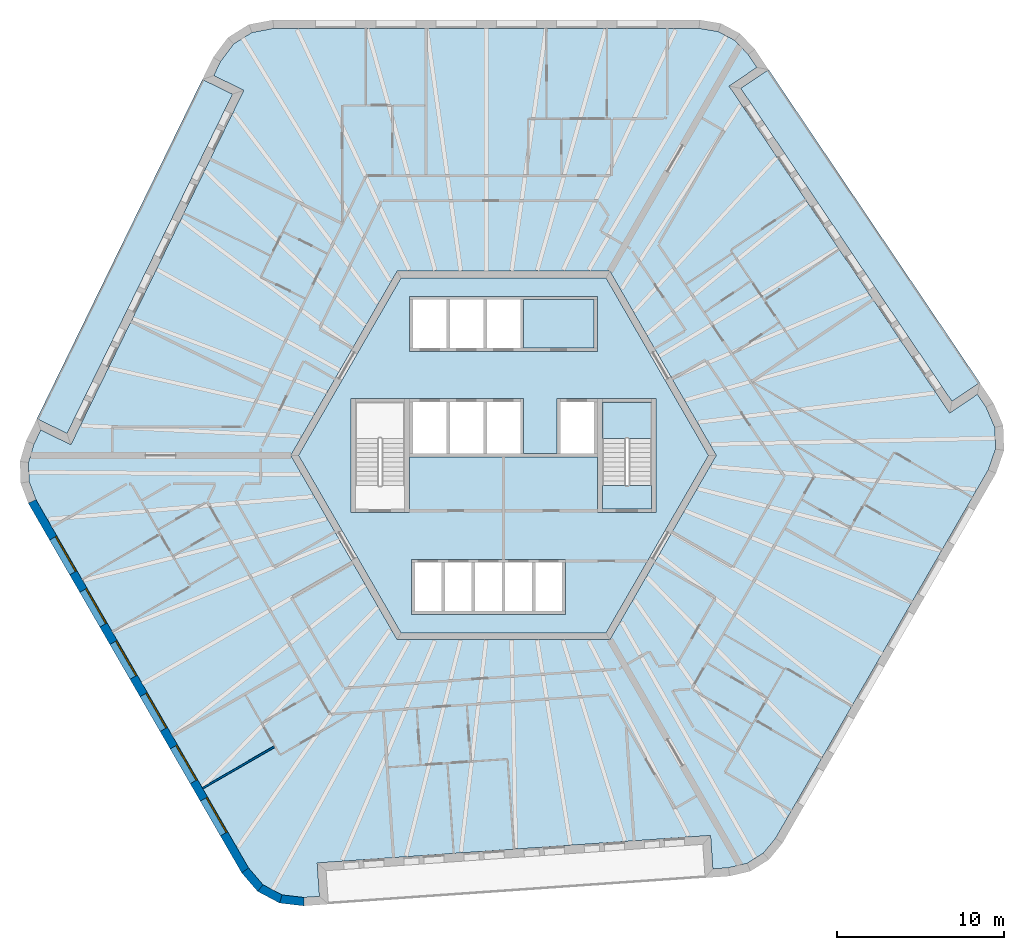
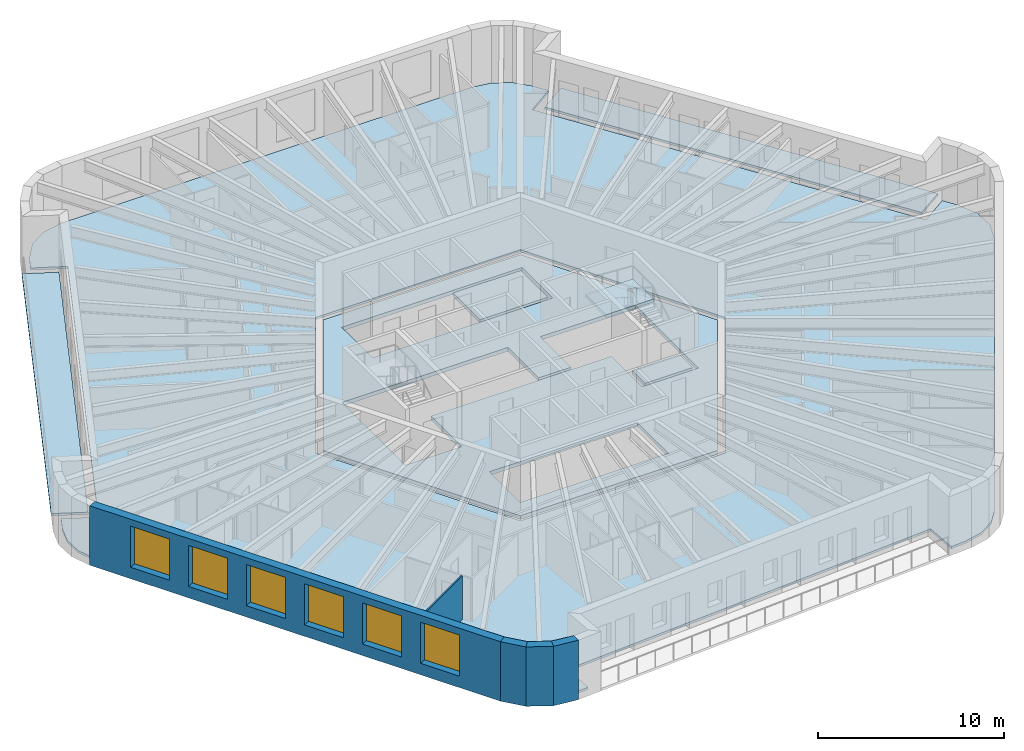
# One storey, part 2 of 12: 7 slabs, 6 windows, 5 walls, 6 openings, 1 element without a shape of its own.
"""IFC4 building model written with IfcOpenShell, lengths in metres."""

from ifc_helpers import new_model, si_unit, direction, frame, frame_2d, origin, place, context, subcontext, project, spatial, polyline, rectangle, outline, extrude, material, layer, layer_set, type_object, element, fill, aggregate, save


model = new_model("IFC4")

# Units and contexts
model_context = context("Model", 3, precision=1e-05, world=origin(), true_north=direction((0.0, 1.0)))
body_context = subcontext(model_context, "Body", "Model", "MODEL_VIEW")
ifc_project = project(units=[si_unit("LENGTHUNIT", "METRE"), si_unit("AREAUNIT", "SQUARE_METRE"), si_unit("VOLUMEUNIT", "CUBIC_METRE"), si_unit("PLANEANGLEUNIT", "RADIAN"), si_unit("MASSUNIT", "GRAM", prefix="KILO")], contexts=[model_context])

# Site, building, storey
site_placement = place(None, origin())
site = spatial("IfcSite", under=ifc_project, at=site_placement, CompositionType="ELEMENT")
building_placement = place(site_placement, origin())
building = spatial("IfcBuilding", under=site, at=building_placement, Name="Tarnside Tower", CompositionType="ELEMENT")
storey_placement = place(building_placement, frame((0.0, 0.0, 330.300048828125)))
storey = spatial("IfcBuildingStorey", under=building, at=storey_placement, Name="L80", CompositionType="ELEMENT", Elevation=330.300048828125)

# Slabs
ifc_material_1 = material(Name="Concrete C35/45", Category="concrete")
ifc_layer_1 = layer(ifc_material_1, 0.14990234375)
ifc_layer_set_1 = layer_set([ifc_layer_1], Name="Composite floor slab 150")
slab_type_1 = type_object("IfcSlabType", Name="Composite floor slab 150", PredefinedType="FLOOR", material=ifc_layer_set_1)
slab_1_placement = place(storey_placement, frame((0.0, 0.0, -0.150146484375)))
element("IfcSlab", 1, at=slab_1_placement, inside=storey, type_object=slab_type_1, Name="Floor slab L80", PredefinedType="FLOOR", context=body_context, shape_type="SweptSolid", body=[
    extrude(outline(polyline([(12.81689453125, 25.312744140625), (13.818115234375, 24.7802734375), (14.610595703125, 23.940185546875), (15.130615234375, 23.169677734375), (13.472412109375, 22.05126953125), (26.638427734375, 2.53173828125), (28.29638671875, 3.650146484375), (28.814697265625, 2.8818359375), (29.336669921875, 1.671875), (29.3818359375, 0.378662109375), (28.945556640625, -0.864990234375), (16.2451171875, -22.86279296875), (15.51318359375, -23.756103515625), (14.55126953125, -24.35693359375), (13.427490234375, -24.623291015625), (12.500244140625, -24.688232421875), (12.360595703125, -22.693115234375), (-11.126708984375, -24.33544921875), (-10.9873046875, -26.33056640625), (-11.91162109375, -26.395263671875), (-13.220458984375, -26.2421875), (-14.363037109375, -25.634765625), (-15.2216796875, -24.635009765625), (-27.922119140625, -2.63720703125), (-28.329833984375, -1.556640625), (-28.369384765625, -0.42333984375), (-28.0380859375, 0.68310546875), (-27.630615234375, 1.5185546875), (-25.8330078125, 0.641845703125), (-15.51171875, 21.8037109375), (-17.309326171875, 22.680419921875), (-16.903076171875, 23.51318359375), (-16.1162109375, 24.5703125), (-15.018798828125, 25.256103515625), (-13.723876953125, 25.5), (11.67724609375, 25.5), (12.81689453125, 25.312744140625)]), holes=[polyline([(-12.70166015625, 0.0), (-6.350830078125, -11.0), (6.350830078125, -11.0), (12.70166015625, 0.0), (6.350830078125, 11.0), (-6.350830078125, 11.0), (-12.70166015625, 0.0)])]), origin(), (0.0, 0.0, 1.0), 0.150146484375),
])
ifc_material_2 = material(Name="Concrete C40/50", Category="concrete")
ifc_layer_2 = layer(ifc_material_2, 0.25)
ifc_layer_set_2 = layer_set([ifc_layer_2], Name="Core slab C40/50")
slab_type_2 = type_object("IfcSlabType", Name="Core slab C40/50", PredefinedType="FLOOR", material=ifc_layer_set_2)
slab_2_placement = place(storey_placement, frame((0.0, 0.0, -0.25)))
element("IfcSlab", 2, at=slab_2_placement, inside=storey, type_object=slab_type_2, Name="L80 core floor slab 1", PredefinedType="FLOOR", context=body_context, shape_type="SweptSolid", body=[
    extrude(outline(polyline([(6.119873046875, 10.60009765625), (12.23974609375, 0.0), (6.119873046875, -10.60009765625), (-6.119873046875, -10.60009765625), (-12.23974609375, 0.0), (-6.119873046875, 10.60009765625), (6.119873046875, 10.60009765625)]), holes=[polyline([(-5.5, -9.5), (3.699951171875, -9.5), (3.699951171875, -9.300048828125), (3.699951171875, -6.39990234375), (3.699951171875, -6.199951171875), (-5.5, -6.199951171875), (-5.5, -6.39990234375), (-5.5, -9.300048828125), (-5.5, -9.5)]), polyline([(-5.60009765625, -3.39990234375), (-5.60009765625, -0.10009765625), (5.60009765625, -0.10009765625), (5.60009765625, -3.39990234375), (5.89990234375, -3.39990234375), (8.85009765625, -3.39990234375), (9.10009765625, -3.39990234375), (9.10009765625, 3.39990234375), (8.85009765625, 3.39990234375), (5.89990234375, 3.39990234375), (5.60009765625, 3.39990234375), (3.39990234375, 3.39990234375), (3.199951171875, 3.39990234375), (3.199951171875, 0.10009765625), (1.199951171875, 0.10009765625), (1.199951171875, 3.39990234375), (1.0, 3.39990234375), (-5.60009765625, 3.39990234375), (-5.89990234375, 3.39990234375), (-8.85009765625, 3.39990234375), (-9.10009765625, 3.39990234375), (-9.10009765625, -3.39990234375), (-8.85009765625, -3.39990234375), (-5.89990234375, -3.39990234375), (-5.60009765625, -3.39990234375)]), polyline([(-5.60009765625, 6.199951171875), (5.60009765625, 6.199951171875), (5.60009765625, 6.39990234375), (5.60009765625, 9.300048828125), (5.60009765625, 9.5), (-5.60009765625, 9.5), (-5.60009765625, 9.300048828125), (-5.60009765625, 6.39990234375), (-5.60009765625, 6.199951171875)])]), origin(), (0.0, 0.0, 1.0), 0.25),
])
slab_3_placement = place(storey_placement, frame((0.0, 0.0, -0.25)))
element("IfcSlab", 3, at=slab_3_placement, inside=storey, type_object=slab_type_2, Name="L80 core floor slab 3", PredefinedType="FLOOR", context=body_context, shape_type="SweptSolid", body=[
    extrude(outline(polyline([(5.89990234375, -1.800048828125), (8.85009765625, -1.800048828125), (8.85009765625, -3.199951171875), (5.89990234375, -3.199951171875), (5.89990234375, -1.800048828125)])), origin(), (0.0, 0.0, 1.0), 0.25),
])
slab_4_placement = place(storey_placement, frame((0.0, 0.0, -0.25)))
element("IfcSlab", 4, at=slab_4_placement, inside=storey, type_object=slab_type_2, Name="L80 core floor slab 4", PredefinedType="FLOOR", context=body_context, shape_type="SweptSolid", body=[
    extrude(outline(polyline([(5.39990234375, 6.39990234375), (1.199951171875, 6.39990234375), (1.199951171875, 9.300048828125), (5.39990234375, 9.300048828125), (5.39990234375, 6.39990234375)])), origin(), (0.0, 0.0, 1.0), 0.25),
])
ifc_material_3 = material(Name="Timber decking", Category="wood")
ifc_layer_3 = layer(ifc_material_3, 0.0400390625)
ifc_material_4 = material(Name="Concrete C60/75 precast", Category="concrete")
ifc_layer_4 = layer(ifc_material_4, 0.110107421875)
ifc_layer_set_3 = layer_set([ifc_layer_3, ifc_layer_4], Name="Loggia deck 150")
slab_type_3 = type_object("IfcSlabType", Name="Loggia deck 150", PredefinedType="FLOOR", material=ifc_layer_set_3)
slab_5_placement = place(storey_placement, frame((0.0, 0.0, -0.150146484375)))
element("IfcSlab", 5, at=slab_5_placement, inside=storey, type_object=slab_type_3, Name="Loggia deck L80 F2", PredefinedType="FLOOR", context=body_context, shape_type="SweptSolid", body=[
    extrude(outline(polyline([(-16.180419921875, 21.573486328125), (-26.063232421875, 1.310302734375), (-27.86083984375, 2.187255859375), (-17.97802734375, 22.4501953125), (-16.180419921875, 21.573486328125)])), origin(), (0.0, 0.0, 1.0), 0.150146484375),
])
slab_6_placement = place(storey_placement, frame((0.0, 0.0, -0.150146484375)))
element("IfcSlab", 6, at=slab_6_placement, inside=storey, type_object=slab_type_3, Name="Loggia deck L80 F6", PredefinedType="FLOOR", context=body_context, shape_type="SweptSolid", body=[
    extrude(outline(polyline([(26.7734375, 3.225830078125), (14.16650390625, 21.916259765625), (15.82470703125, 23.03466796875), (28.431396484375, 4.34423828125), (26.7734375, 3.225830078125)])), origin(), (0.0, 0.0, 1.0), 0.150146484375),
])

# Stair, slab
stair_type = type_object("IfcStairType", Name="Exit stair 1400 clear", PredefinedType="HALF_TURN_STAIR", material=ifc_material_2)
stair_placement = place(storey_placement, origin())
stair = element("IfcStair", 7, at=stair_placement, inside=storey, type_object=stair_type, Name="L80 Exit stair 1", PredefinedType="HALF_TURN_STAIR")
ifc_layer_5 = layer(ifc_material_2, 0.199951171875)
ifc_layer_set_4 = layer_set([ifc_layer_5], Name="Stair landing 200 C40/50")
slab_type_4 = type_object("IfcSlabType", Name="Stair landing 200 C40/50", PredefinedType="LANDING", material=ifc_layer_set_4)
slab_7_placement = place(storey_placement, frame((0.0, 0.0, 1.75)))
slab_7 = element("IfcSlab", 8, at=slab_7_placement, type_object=slab_type_4, Name="ST1 landing 1", PredefinedType="LANDING", context=body_context, shape_type="SweptSolid", body=[
    extrude(outline(polyline([(8.85009765625, 1.0), (8.85009765625, 3.199951171875), (5.89990234375, 3.199951171875), (5.89990234375, 1.0), (8.85009765625, 1.0)])), origin(), (0.0, 0.0, 1.0), 0.199951171875),
])
aggregate(stair, [slab_7])

# Wall
ifc_material_5 = material(Name="Gypsum board partition on steel studs", Category="steel")
ifc_layer_6 = layer(ifc_material_5, 0.10009765625)
ifc_layer_set_5 = layer_set([ifc_layer_6], Name="Partition 100")
wall_type_1 = type_object("IfcWallType", Name="Partition 100", PredefinedType="PARTITIONING", material=ifc_layer_set_5)
wall_1_placement = place(storey_placement, frame((-13.684326171875, -17.39794921875, 0.0), z_axis=(0.0, 0.0, 1.0), x_axis=(-0.866040211805, -0.499974350878, 0.0)))
element("IfcWall", 9, at=wall_1_placement, inside=storey, type_object=wall_type_1, Name="Partition wall 26122", PredefinedType="PARTITIONING", context=body_context, shape_type="SweptSolid", body=[
    extrude(rectangle(XDim=4.949951171875, YDim=0.10009765625, at=frame_2d((2.47509765625, 0.0))), origin(), (0.0, 0.0, 1.0), 2.837646484375),
])

# Wall, openings, windows
ifc_material_6 = material(Name="Facing brick", Category="masonry")
ifc_layer_7 = layer(ifc_material_6, 0.10205078125)
ifc_layer_8 = layer(ifc_material_4, 0.298095703125)
ifc_material_7 = material(Name="Mineral wool insulation")
ifc_layer_9 = layer(ifc_material_7, 0.10009765625)
ifc_layer_set_6 = layer_set([ifc_layer_7, ifc_layer_8, ifc_layer_9], Name="Tube wall 500 brick faced")
wall_type_2 = type_object("IfcWallType", Name="Tube wall 500 brick faced", PredefinedType="SOLIDWALL", material=ifc_layer_set_6)
wall_2_placement = place(storey_placement, frame((-28.14892578125, -2.74462890625, -0.150146484375), z_axis=(0.0, 0.0, 1.0), x_axis=(0.500003737743, -0.866023245787, 0.0)))
wall_2 = element("IfcWall", 10, at=wall_2_placement, inside=storey, type_object=wall_type_2, Name="Tube wall L80 F3 flush 12", PredefinedType="SOLIDWALL", context=body_context, shape_type="SweptSolid", body=[
    extrude(outline(polyline([(-0.0205078125, -0.25), (25.468017578125, -0.25), (25.421142578125, 0.25), (0.0205078125, 0.25), (-0.0205078125, -0.25)])), origin(), (0.0, 0.0, 1.0), 3.900146484375),
])
opening_1_placement = place(wall_2_placement, frame((2.5224609375, 0.0, 0.75)))
opening_1 = element("IfcOpeningElement", 11, at=opening_1_placement, cuts=wall_2, Name="Opening WR", PredefinedType="OPENING", context=body_context, shape_type="SweptSolid", body=[
    extrude(rectangle(XDim=2.39990234375, YDim=2.699951171875, at=frame_2d((1.199951171875, 1.35009765625))), frame((0.0, 0.260009765625, 0.0), z_axis=(0.0, -1.0, 0.0), x_axis=(1.0, 0.0, 0.0)), (0.0, 0.0, 1.0), 0.52001953125),
])
opening_2_placement = place(wall_2_placement, frame((6.122314453125, 0.0, 0.75)))
opening_2 = element("IfcOpeningElement", 12, at=opening_2_placement, cuts=wall_2, Name="Opening WR", PredefinedType="OPENING", context=body_context, shape_type="SweptSolid", body=[
    extrude(rectangle(XDim=2.39990234375, YDim=2.699951171875, at=frame_2d((1.199951171875, 1.35009765625))), frame((0.0, 0.260009765625, 0.0), z_axis=(0.0, -1.0, 0.0), x_axis=(1.0, 0.0, 0.0)), (0.0, 0.0, 1.0), 0.52001953125),
])
opening_3_placement = place(wall_2_placement, frame((9.722412109375, 0.0, 0.75)))
opening_3 = element("IfcOpeningElement", 13, at=opening_3_placement, cuts=wall_2, Name="Opening WR", PredefinedType="OPENING", context=body_context, shape_type="SweptSolid", body=[
    extrude(rectangle(XDim=2.39990234375, YDim=2.699951171875, at=frame_2d((1.199951171875, 1.35009765625))), frame((0.0, 0.260009765625, 0.0), z_axis=(0.0, -1.0, 0.0), x_axis=(1.0, 0.0, 0.0)), (0.0, 0.0, 1.0), 0.52001953125),
])
opening_4_placement = place(wall_2_placement, frame((13.322509765625, 0.0, 0.75)))
opening_4 = element("IfcOpeningElement", 14, at=opening_4_placement, cuts=wall_2, Name="Opening WR", PredefinedType="OPENING", context=body_context, shape_type="SweptSolid", body=[
    extrude(rectangle(XDim=2.39990234375, YDim=2.699951171875, at=frame_2d((1.199951171875, 1.35009765625))), frame((0.0, 0.260009765625, 0.0), z_axis=(0.0, -1.0, 0.0), x_axis=(1.0, 0.0, 0.0)), (0.0, 0.0, 1.0), 0.52001953125),
])
opening_5_placement = place(wall_2_placement, frame((16.92236328125, 0.0, 0.75)))
opening_5 = element("IfcOpeningElement", 15, at=opening_5_placement, cuts=wall_2, Name="Opening WR", PredefinedType="OPENING", context=body_context, shape_type="SweptSolid", body=[
    extrude(rectangle(XDim=2.39990234375, YDim=2.699951171875, at=frame_2d((1.199951171875, 1.35009765625))), frame((0.0, 0.260009765625, 0.0), z_axis=(0.0, -1.0, 0.0), x_axis=(1.0, 0.0, 0.0)), (0.0, 0.0, 1.0), 0.52001953125),
])
opening_6_placement = place(wall_2_placement, frame((20.5224609375, 0.0, 0.75)))
opening_6 = element("IfcOpeningElement", 16, at=opening_6_placement, cuts=wall_2, Name="Opening WR", PredefinedType="OPENING", context=body_context, shape_type="SweptSolid", body=[
    extrude(rectangle(XDim=2.39990234375, YDim=2.699951171875, at=frame_2d((1.199951171875, 1.35009765625))), frame((0.0, 0.260009765625, 0.0), z_axis=(0.0, -1.0, 0.0), x_axis=(1.0, 0.0, 0.0)), (0.0, 0.0, 1.0), 0.52001953125),
])
ifc_material_8 = material(Name="Aluminium-framed double glazing", Category="aluminium")
window_type = type_object("IfcWindowType", Name="Residence window 2400 x 2700", PartitioningType="DOUBLE_PANEL_VERTICAL", PredefinedType="WINDOW", material=ifc_material_8)
window_1_placement = place(opening_1_placement, frame((0.0, 0.179931640625, 0.0)))
window_1 = element("IfcWindow", 17, at=window_1_placement, inside=storey, type_object=window_type, Name="E.WN.L80.F3.00", OverallHeight=2.699951171875, OverallWidth=2.39990234375, PartitioningType="DOUBLE_PANEL_VERTICAL", PredefinedType="WINDOW", context=body_context, shape_type="SweptSolid", body=[
    extrude(rectangle(XDim=2.39990234375, YDim=2.699951171875, at=frame_2d((1.199951171875, 1.35009765625))), frame((0.0, 0.030029296875, 0.0), z_axis=(0.0, -1.0, 0.0), x_axis=(1.0, 0.0, 0.0)), (0.0, 0.0, 1.0), 0.06005859375),
])
fill(opening_1, window_1)
window_2_placement = place(opening_2_placement, frame((0.0, 0.179931640625, 0.0)))
window_2 = element("IfcWindow", 18, at=window_2_placement, inside=storey, type_object=window_type, Name="E.WN.L80.F3.01", OverallHeight=2.699951171875, OverallWidth=2.39990234375, PartitioningType="DOUBLE_PANEL_VERTICAL", PredefinedType="WINDOW", context=body_context, shape_type="SweptSolid", body=[
    extrude(rectangle(XDim=2.39990234375, YDim=2.699951171875, at=frame_2d((1.199951171875, 1.35009765625))), frame((0.0, 0.030029296875, 0.0), z_axis=(0.0, -1.0, 0.0), x_axis=(1.0, 0.0, 0.0)), (0.0, 0.0, 1.0), 0.06005859375),
])
fill(opening_2, window_2)
window_3_placement = place(opening_3_placement, frame((0.0, 0.179931640625, 0.0)))
window_3 = element("IfcWindow", 19, at=window_3_placement, inside=storey, type_object=window_type, Name="E.WN.L80.F3.02", OverallHeight=2.699951171875, OverallWidth=2.39990234375, PartitioningType="DOUBLE_PANEL_VERTICAL", PredefinedType="WINDOW", context=body_context, shape_type="SweptSolid", body=[
    extrude(rectangle(XDim=2.39990234375, YDim=2.699951171875, at=frame_2d((1.199951171875, 1.35009765625))), frame((0.0, 0.030029296875, 0.0), z_axis=(0.0, -1.0, 0.0), x_axis=(1.0, 0.0, 0.0)), (0.0, 0.0, 1.0), 0.06005859375),
])
fill(opening_3, window_3)
window_4_placement = place(opening_4_placement, frame((0.0, 0.179931640625, 0.0)))
window_4 = element("IfcWindow", 20, at=window_4_placement, inside=storey, type_object=window_type, Name="E.WN.L80.F3.03", OverallHeight=2.699951171875, OverallWidth=2.39990234375, PartitioningType="DOUBLE_PANEL_VERTICAL", PredefinedType="WINDOW", context=body_context, shape_type="SweptSolid", body=[
    extrude(rectangle(XDim=2.39990234375, YDim=2.699951171875, at=frame_2d((1.199951171875, 1.35009765625))), frame((0.0, 0.030029296875, 0.0), z_axis=(0.0, -1.0, 0.0), x_axis=(1.0, 0.0, 0.0)), (0.0, 0.0, 1.0), 0.06005859375),
])
fill(opening_4, window_4)
window_5_placement = place(opening_5_placement, frame((0.0, 0.179931640625, 0.0)))
window_5 = element("IfcWindow", 21, at=window_5_placement, inside=storey, type_object=window_type, Name="E.WN.L80.F3.04", OverallHeight=2.699951171875, OverallWidth=2.39990234375, PartitioningType="DOUBLE_PANEL_VERTICAL", PredefinedType="WINDOW", context=body_context, shape_type="SweptSolid", body=[
    extrude(rectangle(XDim=2.39990234375, YDim=2.699951171875, at=frame_2d((1.199951171875, 1.35009765625))), frame((0.0, 0.030029296875, 0.0), z_axis=(0.0, -1.0, 0.0), x_axis=(1.0, 0.0, 0.0)), (0.0, 0.0, 1.0), 0.06005859375),
])
fill(opening_5, window_5)
window_6_placement = place(opening_6_placement, frame((0.0, 0.179931640625, 0.0)))
window_6 = element("IfcWindow", 22, at=window_6_placement, inside=storey, type_object=window_type, Name="E.WN.L80.F3.05", OverallHeight=2.699951171875, OverallWidth=2.39990234375, PartitioningType="DOUBLE_PANEL_VERTICAL", PredefinedType="WINDOW", context=body_context, shape_type="SweptSolid", body=[
    extrude(rectangle(XDim=2.39990234375, YDim=2.699951171875, at=frame_2d((1.199951171875, 1.35009765625))), frame((0.0, 0.030029296875, 0.0), z_axis=(0.0, -1.0, 0.0), x_axis=(1.0, 0.0, 0.0)), (0.0, 0.0, 1.0), 0.06005859375),
])
fill(opening_6, window_6)

# Walls
wall_3_placement = place(storey_placement, frame((-15.426513671875, -24.7802734375, -0.150146484375), z_axis=(0.0, 0.0, 1.0), x_axis=(0.651616566281, -0.758548515619, 0.0)))
element("IfcWall", 23, at=wall_3_placement, inside=storey, type_object=wall_type_2, Name="Tube wall L80 F3 chord 13", PredefinedType="SOLIDWALL", context=body_context, shape_type="SweptSolid", body=[
    extrude(outline(polyline([(-0.0234375, -0.25), (1.435302734375, -0.25), (1.341064453125, 0.25), (0.0234375, 0.25), (-0.0234375, -0.25)])), origin(), (0.0, 0.0, 1.0), 3.900146484375),
])
wall_4_placement = place(storey_placement, frame((-14.52197265625, -25.833251953125, -0.150146484375), z_axis=(0.0, 0.0, 1.0), x_axis=(0.882926676147, -0.469510899286, 0.0)))
element("IfcWall", 24, at=wall_4_placement, inside=storey, type_object=wall_type_2, Name="Tube wall L80 F3 chord 14", PredefinedType="SOLIDWALL", context=body_context, shape_type="SweptSolid", body=[
    extrude(outline(polyline([(-0.047119140625, -0.25), (1.435546875, -0.25), (1.34130859375, 0.25), (0.047119140625, 0.25), (-0.047119140625, -0.25)])), origin(), (0.0, 0.0, 1.0), 3.900146484375),
])
wall_5_placement = place(storey_placement, frame((-13.296142578125, -26.485107421875, -0.150146484375), z_axis=(0.0, 0.0, 1.0), x_axis=(0.993239161627, -0.116086036245, 0.0)))
element("IfcWall", 25, at=wall_5_placement, inside=storey, type_object=wall_type_2, Name="Tube wall L80 F3 chord 15", PredefinedType="SOLIDWALL", context=body_context, shape_type="SweptSolid", body=[
    extrude(outline(polyline([(-0.047119140625, -0.25), (1.411376953125, -0.25), (1.364501953125, 0.25), (0.047119140625, 0.25), (-0.047119140625, -0.25)])), origin(), (0.0, 0.0, 1.0), 3.900146484375),
])

save(model, "model.ifc")
